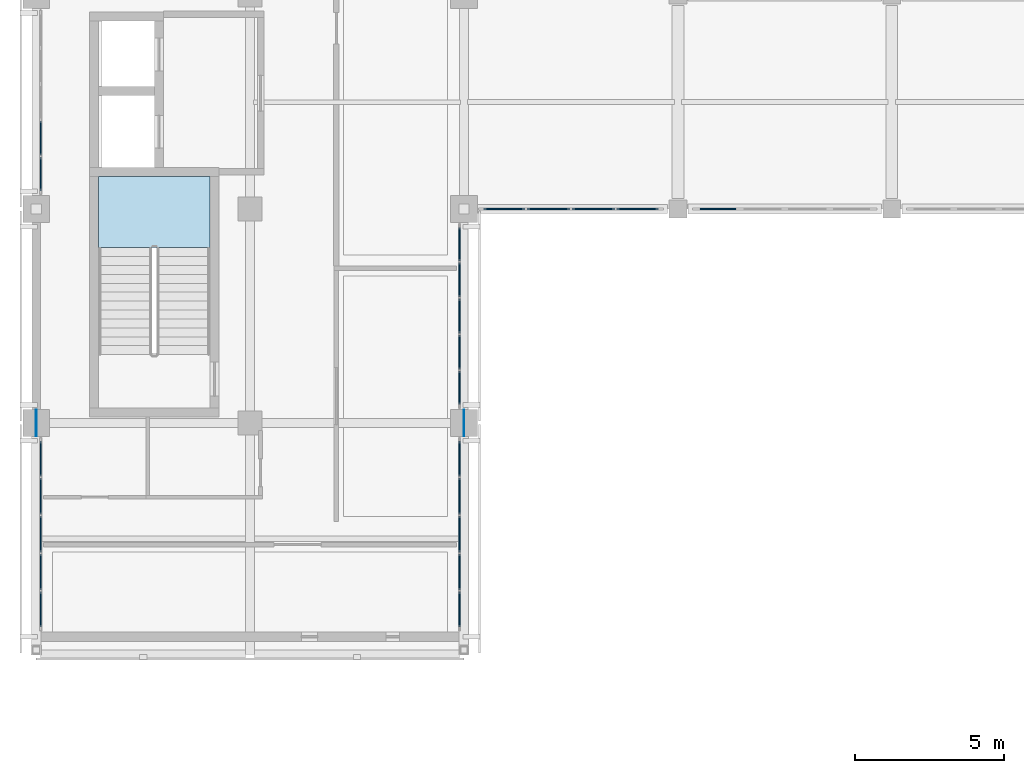
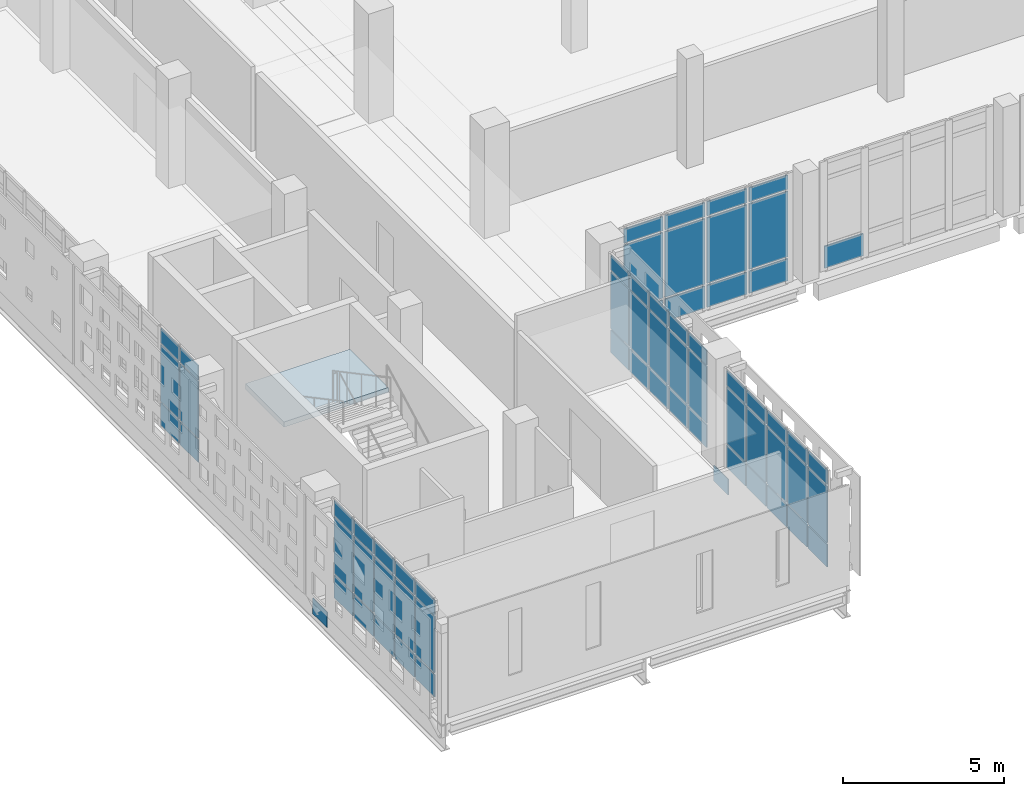
# One storey, part 28 of 62: 66 plates, 1 slab, 7 elements without a shape of their own.
"""IFC4 building model written with IfcOpenShell, lengths in metres."""

from ifc_helpers import new_model, si_unit, direction, frame, origin, origin_2d, place, context, subcontext, project, spatial, polyline, rectangle, outline, extrude, material, layer, layer_set, type_object, element, aggregate, save


model = new_model("IFC4")

# Units and contexts
model_context = context("Model", 3, precision=1e-05, world=origin(), true_north=direction((0.0, 1.0)))
body_context = subcontext(model_context, "Body", "Model", "MODEL_VIEW")
ifc_project = project(units=[si_unit("LENGTHUNIT", "METRE"), si_unit("AREAUNIT", "SQUARE_METRE"), si_unit("VOLUMEUNIT", "CUBIC_METRE"), si_unit("PLANEANGLEUNIT", "RADIAN"), si_unit("MASSUNIT", "GRAM", prefix="KILO")], contexts=[model_context])

# Site, building, storey
site_placement = place(None, origin())
site = spatial("IfcSite", under=ifc_project, at=site_placement, CompositionType="ELEMENT")
building_placement = place(site_placement, origin())
building = spatial("IfcBuilding", under=site, at=building_placement, Name="Valkovuoma Quantum and Materials Research Institute", CompositionType="ELEMENT")
storey_placement = place(building_placement, frame((0.0, 0.0, 13.1201171875)))
storey = spatial("IfcBuildingStorey", under=building, at=storey_placement, Name="L03", CompositionType="ELEMENT", Elevation=13.1201171875)

# Curtain wall, plates
ifc_material_1 = material(Name="Thermally broken aluminium and triple low-E glazing", Category="aluminium")
ifc_layer_1 = layer(ifc_material_1, 0.219970703125)
ifc_layer_set_1 = layer_set([ifc_layer_1], Name="Thermally broken aluminium and triple low-E glazing")
curtain_wall_type_1 = type_object("IfcCurtainWallType", Name="CW-CW-01", PredefinedType="NOTDEFINED", material=ifc_layer_set_1)
curtain_wall_1_placement = place(storey_placement, origin())
curtain_wall_1 = element("IfcCurtainWall", 1, at=curtain_wall_1_placement, inside=storey, type_object=curtain_wall_type_1, Name="L03 curtain wall 028", PredefinedType="NOTDEFINED")
ifc_material_2 = material(Name="Triple low-E argon insulating glass", Category="glass")
ifc_layer_2 = layer(ifc_material_2, 0.035888671875)
ifc_layer_set_2 = layer_set([ifc_layer_2], Name="Triple low-E argon insulating glass")
plate_type_1 = type_object("IfcPlateType", Name="CWPanel-CWP-01", PredefinedType="CURTAIN_PANEL", material=ifc_layer_set_2)
plate_1_placement = place(storey_placement, frame((0.14990234375, 22.521728515625, 0.06494140625), z_axis=(0.0, 0.0, 1.0), x_axis=(0.0, 1.0, 0.0)))
plate_1 = element("IfcPlate", 2, at=plate_1_placement, type_object=plate_type_1, Name="CW-01 panel 1.1", PredefinedType="CURTAIN_PANEL", context=body_context, shape_type="SweptSolid", body=[
    extrude(rectangle(XDim=1.177490234375, YDim=0.035888671875, at=origin_2d()), origin(), (0.0, 0.0, 1.0), 0.8525390625),
])
plate_2_placement = place(storey_placement, frame((0.14990234375, 22.521728515625, 0.982421875), z_axis=(0.0, 0.0, 1.0), x_axis=(0.0, 1.0, 0.0)))
plate_2 = element("IfcPlate", 3, at=plate_2_placement, type_object=plate_type_1, Name="CW-01 panel 1.2", PredefinedType="CURTAIN_PANEL", context=body_context, shape_type="SweptSolid", body=[
    extrude(rectangle(XDim=1.177490234375, YDim=0.035888671875, at=origin_2d()), origin(), (0.0, 0.0, 1.0), 2.14501953125),
])
plate_3_placement = place(storey_placement, frame((0.14990234375, 22.521728515625, 3.1923828125), z_axis=(0.0, 0.0, 1.0), x_axis=(0.0, 1.0, 0.0)))
plate_3 = element("IfcPlate", 4, at=plate_3_placement, type_object=plate_type_1, Name="CW-01 panel 1.3", PredefinedType="CURTAIN_PANEL", context=body_context, shape_type="SweptSolid", body=[
    extrude(rectangle(XDim=1.177490234375, YDim=0.035888671875, at=origin_2d()), origin(), (0.0, 0.0, 1.0), 0.552490234375),
])
plate_4_placement = place(storey_placement, frame((0.14990234375, 23.780517578125, 0.06494140625), z_axis=(0.0, 0.0, 1.0), x_axis=(0.0, 1.0, 0.0)))
plate_4 = element("IfcPlate", 5, at=plate_4_placement, type_object=plate_type_1, Name="CW-01 panel 2.1", PredefinedType="CURTAIN_PANEL", context=body_context, shape_type="SweptSolid", body=[
    extrude(rectangle(XDim=1.2099609375, YDim=0.035888671875, at=origin_2d()), origin(), (0.0, 0.0, 1.0), 0.8525390625),
])
plate_5_placement = place(storey_placement, frame((0.14990234375, 23.780517578125, 0.982421875), z_axis=(0.0, 0.0, 1.0), x_axis=(0.0, 1.0, 0.0)))
plate_5 = element("IfcPlate", 6, at=plate_5_placement, type_object=plate_type_1, Name="CW-01 panel 2.2", PredefinedType="CURTAIN_PANEL", context=body_context, shape_type="SweptSolid", body=[
    extrude(rectangle(XDim=1.2099609375, YDim=0.035888671875, at=origin_2d()), origin(), (0.0, 0.0, 1.0), 2.14501953125),
])
plate_6_placement = place(storey_placement, frame((0.14990234375, 23.780517578125, 3.1923828125), z_axis=(0.0, 0.0, 1.0), x_axis=(0.0, 1.0, 0.0)))
plate_6 = element("IfcPlate", 7, at=plate_6_placement, type_object=plate_type_1, Name="CW-01 panel 2.3", PredefinedType="CURTAIN_PANEL", context=body_context, shape_type="SweptSolid", body=[
    extrude(rectangle(XDim=1.2099609375, YDim=0.035888671875, at=origin_2d()), origin(), (0.0, 0.0, 1.0), 0.552490234375),
])
plate_7_placement = place(storey_placement, frame((0.14990234375, 25.055419921875, 0.06494140625), z_axis=(0.0, 0.0, 1.0), x_axis=(0.0, 1.0, 0.0)))
plate_7 = element("IfcPlate", 8, at=plate_7_placement, type_object=plate_type_1, Name="CW-01 panel 3.1", PredefinedType="CURTAIN_PANEL", context=body_context, shape_type="SweptSolid", body=[
    extrude(rectangle(XDim=1.2099609375, YDim=0.035888671875, at=origin_2d()), origin(), (0.0, 0.0, 1.0), 0.8525390625),
])
plate_8_placement = place(storey_placement, frame((0.14990234375, 25.055419921875, 0.982421875), z_axis=(0.0, 0.0, 1.0), x_axis=(0.0, 1.0, 0.0)))
plate_8 = element("IfcPlate", 9, at=plate_8_placement, type_object=plate_type_1, Name="CW-01 panel 3.2", PredefinedType="CURTAIN_PANEL", context=body_context, shape_type="SweptSolid", body=[
    extrude(rectangle(XDim=1.2099609375, YDim=0.035888671875, at=origin_2d()), origin(), (0.0, 0.0, 1.0), 2.14501953125),
])
plate_9_placement = place(storey_placement, frame((0.14990234375, 25.055419921875, 3.1923828125), z_axis=(0.0, 0.0, 1.0), x_axis=(0.0, 1.0, 0.0)))
plate_9 = element("IfcPlate", 10, at=plate_9_placement, type_object=plate_type_1, Name="CW-01 panel 3.3", PredefinedType="CURTAIN_PANEL", context=body_context, shape_type="SweptSolid", body=[
    extrude(rectangle(XDim=1.2099609375, YDim=0.035888671875, at=origin_2d()), origin(), (0.0, 0.0, 1.0), 0.552490234375),
])
plate_10_placement = place(storey_placement, frame((0.14990234375, 26.330322265625, 0.06494140625), z_axis=(0.0, 0.0, 1.0), x_axis=(0.0, 1.0, 0.0)))
plate_10 = element("IfcPlate", 11, at=plate_10_placement, type_object=plate_type_1, Name="CW-01 panel 4.1", PredefinedType="CURTAIN_PANEL", context=body_context, shape_type="SweptSolid", body=[
    extrude(rectangle(XDim=1.2099609375, YDim=0.035888671875, at=origin_2d()), origin(), (0.0, 0.0, 1.0), 0.8525390625),
])
plate_11_placement = place(storey_placement, frame((0.14990234375, 26.330322265625, 0.982421875), z_axis=(0.0, 0.0, 1.0), x_axis=(0.0, 1.0, 0.0)))
plate_11 = element("IfcPlate", 12, at=plate_11_placement, type_object=plate_type_1, Name="CW-01 panel 4.2", PredefinedType="CURTAIN_PANEL", context=body_context, shape_type="SweptSolid", body=[
    extrude(rectangle(XDim=1.2099609375, YDim=0.035888671875, at=origin_2d()), origin(), (0.0, 0.0, 1.0), 2.14501953125),
])
plate_12_placement = place(storey_placement, frame((0.14990234375, 26.330322265625, 3.1923828125), z_axis=(0.0, 0.0, 1.0), x_axis=(0.0, 1.0, 0.0)))
plate_12 = element("IfcPlate", 13, at=plate_12_placement, type_object=plate_type_1, Name="CW-01 panel 4.3", PredefinedType="CURTAIN_PANEL", context=body_context, shape_type="SweptSolid", body=[
    extrude(rectangle(XDim=1.2099609375, YDim=0.035888671875, at=origin_2d()), origin(), (0.0, 0.0, 1.0), 0.552490234375),
])
plate_13_placement = place(storey_placement, frame((0.14990234375, 27.589111328125, 0.06494140625), z_axis=(0.0, 0.0, 1.0), x_axis=(0.0, 1.0, 0.0)))
plate_13 = element("IfcPlate", 14, at=plate_13_placement, type_object=plate_type_1, Name="CW-01 panel 5.1", PredefinedType="CURTAIN_PANEL", context=body_context, shape_type="SweptSolid", body=[
    extrude(rectangle(XDim=1.177490234375, YDim=0.035888671875, at=origin_2d()), origin(), (0.0, 0.0, 1.0), 0.8525390625),
])
plate_14_placement = place(storey_placement, frame((0.14990234375, 27.589111328125, 0.982421875), z_axis=(0.0, 0.0, 1.0), x_axis=(0.0, 1.0, 0.0)))
plate_14 = element("IfcPlate", 15, at=plate_14_placement, type_object=plate_type_1, Name="CW-01 panel 5.2", PredefinedType="CURTAIN_PANEL", context=body_context, shape_type="SweptSolid", body=[
    extrude(rectangle(XDim=1.177490234375, YDim=0.035888671875, at=origin_2d()), origin(), (0.0, 0.0, 1.0), 2.14501953125),
])
plate_15_placement = place(storey_placement, frame((0.14990234375, 27.589111328125, 3.1923828125), z_axis=(0.0, 0.0, 1.0), x_axis=(0.0, 1.0, 0.0)))
plate_15 = element("IfcPlate", 16, at=plate_15_placement, type_object=plate_type_1, Name="CW-01 panel 5.3", PredefinedType="CURTAIN_PANEL", context=body_context, shape_type="SweptSolid", body=[
    extrude(rectangle(XDim=1.177490234375, YDim=0.035888671875, at=origin_2d()), origin(), (0.0, 0.0, 1.0), 0.552490234375),
])
aggregate(curtain_wall_1, [plate_1, plate_2, plate_3, plate_4, plate_5, plate_6, plate_7, plate_8, plate_9, plate_10, plate_11, plate_12, plate_13, plate_14, plate_15])

curtain_wall_2_placement = place(storey_placement, origin())
curtain_wall_2 = element("IfcCurtainWall", 17, at=curtain_wall_2_placement, inside=storey, type_object=curtain_wall_type_1, Name="L03 curtain wall 031", PredefinedType="NOTDEFINED")
plate_16_placement = place(storey_placement, frame((0.14990234375, 37.181884765625, 0.06494140625), z_axis=(0.0, 0.0, 1.0), x_axis=(0.0, 1.0, 0.0)))
plate_16 = element("IfcPlate", 18, at=plate_16_placement, type_object=plate_type_1, Name="CW-01 panel 1.1", PredefinedType="CURTAIN_PANEL", context=body_context, shape_type="SweptSolid", body=[
    extrude(rectangle(XDim=1.11962890625, YDim=0.035888671875, at=origin_2d()), origin(), (0.0, 0.0, 1.0), 0.8525390625),
])
plate_17_placement = place(storey_placement, frame((0.14990234375, 37.181884765625, 0.982421875), z_axis=(0.0, 0.0, 1.0), x_axis=(0.0, 1.0, 0.0)))
plate_17 = element("IfcPlate", 19, at=plate_17_placement, type_object=plate_type_1, Name="CW-01 panel 1.2", PredefinedType="CURTAIN_PANEL", context=body_context, shape_type="SweptSolid", body=[
    extrude(rectangle(XDim=1.11962890625, YDim=0.035888671875, at=origin_2d()), origin(), (0.0, 0.0, 1.0), 2.14501953125),
])
plate_18_placement = place(storey_placement, frame((0.14990234375, 37.181884765625, 3.1923828125), z_axis=(0.0, 0.0, 1.0), x_axis=(0.0, 1.0, 0.0)))
plate_18 = element("IfcPlate", 20, at=plate_18_placement, type_object=plate_type_1, Name="CW-01 panel 1.3", PredefinedType="CURTAIN_PANEL", context=body_context, shape_type="SweptSolid", body=[
    extrude(rectangle(XDim=1.11962890625, YDim=0.035888671875, at=origin_2d()), origin(), (0.0, 0.0, 1.0), 0.552490234375),
])
plate_19_placement = place(storey_placement, frame((0.14990234375, 38.3828125, 0.06494140625), z_axis=(0.0, 0.0, 1.0), x_axis=(0.0, 1.0, 0.0)))
plate_19 = element("IfcPlate", 21, at=plate_19_placement, type_object=plate_type_1, Name="CW-01 panel 2.1", PredefinedType="CURTAIN_PANEL", context=body_context, shape_type="SweptSolid", body=[
    extrude(rectangle(XDim=1.152099609375, YDim=0.035888671875, at=origin_2d()), origin(), (0.0, 0.0, 1.0), 0.8525390625),
])
plate_20_placement = place(storey_placement, frame((0.14990234375, 38.3828125, 0.982421875), z_axis=(0.0, 0.0, 1.0), x_axis=(0.0, 1.0, 0.0)))
plate_20 = element("IfcPlate", 22, at=plate_20_placement, type_object=plate_type_1, Name="CW-01 panel 2.2", PredefinedType="CURTAIN_PANEL", context=body_context, shape_type="SweptSolid", body=[
    extrude(rectangle(XDim=1.152099609375, YDim=0.035888671875, at=origin_2d()), origin(), (0.0, 0.0, 1.0), 2.14501953125),
])
plate_21_placement = place(storey_placement, frame((0.14990234375, 38.3828125, 3.1923828125), z_axis=(0.0, 0.0, 1.0), x_axis=(0.0, 1.0, 0.0)))
plate_21 = element("IfcPlate", 23, at=plate_21_placement, type_object=plate_type_1, Name="CW-01 panel 2.3", PredefinedType="CURTAIN_PANEL", context=body_context, shape_type="SweptSolid", body=[
    extrude(rectangle(XDim=1.152099609375, YDim=0.035888671875, at=origin_2d()), origin(), (0.0, 0.0, 1.0), 0.552490234375),
])
aggregate(curtain_wall_2, [plate_16, plate_17, plate_18, plate_19, plate_20, plate_21])

curtain_wall_3_placement = place(storey_placement, origin())
curtain_wall_3 = element("IfcCurtainWall", 24, at=curtain_wall_3_placement, inside=storey, type_object=curtain_wall_type_1, Name="L03 curtain wall 029", PredefinedType="NOTDEFINED")
ifc_material_3 = material(Name="Triple low-E argon insulating glass", Category="glass")
ifc_layer_3 = layer(ifc_material_3, 0.0419921875)
ifc_layer_set_3 = layer_set([ifc_layer_3], Name="Triple low-E argon insulating glass")
plate_type_2 = type_object("IfcPlateType", Name="CWPanel-CWP-02", PredefinedType="CURTAIN_PANEL", material=ifc_layer_set_3)
plate_22_placement = place(storey_placement, frame((14.25, 22.521728515625, 0.06494140625), z_axis=(0.0, 0.0, 1.0), x_axis=(0.0, 1.0, 0.0)))
plate_22 = element("IfcPlate", 25, at=plate_22_placement, type_object=plate_type_2, Name="CW-01 panel 1.1", PredefinedType="CURTAIN_PANEL", context=body_context, shape_type="SweptSolid", body=[
    extrude(rectangle(XDim=1.177490234375, YDim=0.0419921875, at=origin_2d()), origin(), (0.0, 0.0, 1.0), 0.8525390625),
])
plate_23_placement = place(storey_placement, frame((14.25, 22.521728515625, 0.982421875), z_axis=(0.0, 0.0, 1.0), x_axis=(0.0, 1.0, 0.0)))
plate_23 = element("IfcPlate", 26, at=plate_23_placement, type_object=plate_type_2, Name="CW-01 panel 1.2", PredefinedType="CURTAIN_PANEL", context=body_context, shape_type="SweptSolid", body=[
    extrude(rectangle(XDim=1.177490234375, YDim=0.0419921875, at=origin_2d()), origin(), (0.0, 0.0, 1.0), 2.14501953125),
])
plate_24_placement = place(storey_placement, frame((14.25, 22.521728515625, 3.1923828125), z_axis=(0.0, 0.0, 1.0), x_axis=(0.0, 1.0, 0.0)))
plate_24 = element("IfcPlate", 27, at=plate_24_placement, type_object=plate_type_2, Name="CW-01 panel 1.3", PredefinedType="CURTAIN_PANEL", context=body_context, shape_type="SweptSolid", body=[
    extrude(rectangle(XDim=1.177490234375, YDim=0.0419921875, at=origin_2d()), origin(), (0.0, 0.0, 1.0), 0.552490234375),
])
plate_25_placement = place(storey_placement, frame((14.25, 23.780517578125, 0.06494140625), z_axis=(0.0, 0.0, 1.0), x_axis=(0.0, 1.0, 0.0)))
plate_25 = element("IfcPlate", 28, at=plate_25_placement, type_object=plate_type_2, Name="CW-01 panel 2.1", PredefinedType="CURTAIN_PANEL", context=body_context, shape_type="SweptSolid", body=[
    extrude(rectangle(XDim=1.2099609375, YDim=0.0419921875, at=origin_2d()), origin(), (0.0, 0.0, 1.0), 0.8525390625),
])
plate_26_placement = place(storey_placement, frame((14.25, 23.780517578125, 0.982421875), z_axis=(0.0, 0.0, 1.0), x_axis=(0.0, 1.0, 0.0)))
plate_26 = element("IfcPlate", 29, at=plate_26_placement, type_object=plate_type_2, Name="CW-01 panel 2.2", PredefinedType="CURTAIN_PANEL", context=body_context, shape_type="SweptSolid", body=[
    extrude(rectangle(XDim=1.2099609375, YDim=0.0419921875, at=origin_2d()), origin(), (0.0, 0.0, 1.0), 2.14501953125),
])
plate_27_placement = place(storey_placement, frame((14.25, 23.780517578125, 3.1923828125), z_axis=(0.0, 0.0, 1.0), x_axis=(0.0, 1.0, 0.0)))
plate_27 = element("IfcPlate", 30, at=plate_27_placement, type_object=plate_type_2, Name="CW-01 panel 2.3", PredefinedType="CURTAIN_PANEL", context=body_context, shape_type="SweptSolid", body=[
    extrude(rectangle(XDim=1.2099609375, YDim=0.0419921875, at=origin_2d()), origin(), (0.0, 0.0, 1.0), 0.552490234375),
])
plate_28_placement = place(storey_placement, frame((14.25, 25.055419921875, 0.06494140625), z_axis=(0.0, 0.0, 1.0), x_axis=(0.0, 1.0, 0.0)))
plate_28 = element("IfcPlate", 31, at=plate_28_placement, type_object=plate_type_2, Name="CW-01 panel 3.1", PredefinedType="CURTAIN_PANEL", context=body_context, shape_type="SweptSolid", body=[
    extrude(rectangle(XDim=1.2099609375, YDim=0.0419921875, at=origin_2d()), origin(), (0.0, 0.0, 1.0), 0.8525390625),
])
plate_29_placement = place(storey_placement, frame((14.25, 25.055419921875, 0.982421875), z_axis=(0.0, 0.0, 1.0), x_axis=(0.0, 1.0, 0.0)))
plate_29 = element("IfcPlate", 32, at=plate_29_placement, type_object=plate_type_2, Name="CW-01 panel 3.2", PredefinedType="CURTAIN_PANEL", context=body_context, shape_type="SweptSolid", body=[
    extrude(rectangle(XDim=1.2099609375, YDim=0.0419921875, at=origin_2d()), origin(), (0.0, 0.0, 1.0), 2.14501953125),
])
plate_30_placement = place(storey_placement, frame((14.25, 25.055419921875, 3.1923828125), z_axis=(0.0, 0.0, 1.0), x_axis=(0.0, 1.0, 0.0)))
plate_30 = element("IfcPlate", 33, at=plate_30_placement, type_object=plate_type_2, Name="CW-01 panel 3.3", PredefinedType="CURTAIN_PANEL", context=body_context, shape_type="SweptSolid", body=[
    extrude(rectangle(XDim=1.2099609375, YDim=0.0419921875, at=origin_2d()), origin(), (0.0, 0.0, 1.0), 0.552490234375),
])
plate_31_placement = place(storey_placement, frame((14.25, 26.330322265625, 0.06494140625), z_axis=(0.0, 0.0, 1.0), x_axis=(0.0, 1.0, 0.0)))
plate_31 = element("IfcPlate", 34, at=plate_31_placement, type_object=plate_type_2, Name="CW-01 panel 4.1", PredefinedType="CURTAIN_PANEL", context=body_context, shape_type="SweptSolid", body=[
    extrude(rectangle(XDim=1.2099609375, YDim=0.0419921875, at=origin_2d()), origin(), (0.0, 0.0, 1.0), 0.8525390625),
])
plate_32_placement = place(storey_placement, frame((14.25, 26.330322265625, 0.982421875), z_axis=(0.0, 0.0, 1.0), x_axis=(0.0, 1.0, 0.0)))
plate_32 = element("IfcPlate", 35, at=plate_32_placement, type_object=plate_type_2, Name="CW-01 panel 4.2", PredefinedType="CURTAIN_PANEL", context=body_context, shape_type="SweptSolid", body=[
    extrude(rectangle(XDim=1.2099609375, YDim=0.0419921875, at=origin_2d()), origin(), (0.0, 0.0, 1.0), 2.14501953125),
])
plate_33_placement = place(storey_placement, frame((14.25, 26.330322265625, 3.1923828125), z_axis=(0.0, 0.0, 1.0), x_axis=(0.0, 1.0, 0.0)))
plate_33 = element("IfcPlate", 36, at=plate_33_placement, type_object=plate_type_2, Name="CW-01 panel 4.3", PredefinedType="CURTAIN_PANEL", context=body_context, shape_type="SweptSolid", body=[
    extrude(rectangle(XDim=1.2099609375, YDim=0.0419921875, at=origin_2d()), origin(), (0.0, 0.0, 1.0), 0.552490234375),
])
plate_34_placement = place(storey_placement, frame((14.25, 27.589111328125, 0.06494140625), z_axis=(0.0, 0.0, 1.0), x_axis=(0.0, 1.0, 0.0)))
plate_34 = element("IfcPlate", 37, at=plate_34_placement, type_object=plate_type_2, Name="CW-01 panel 5.1", PredefinedType="CURTAIN_PANEL", context=body_context, shape_type="SweptSolid", body=[
    extrude(rectangle(XDim=1.177490234375, YDim=0.0419921875, at=origin_2d()), origin(), (0.0, 0.0, 1.0), 0.8525390625),
])
plate_35_placement = place(storey_placement, frame((14.25, 27.589111328125, 0.982421875), z_axis=(0.0, 0.0, 1.0), x_axis=(0.0, 1.0, 0.0)))
plate_35 = element("IfcPlate", 38, at=plate_35_placement, type_object=plate_type_2, Name="CW-01 panel 5.2", PredefinedType="CURTAIN_PANEL", context=body_context, shape_type="SweptSolid", body=[
    extrude(rectangle(XDim=1.177490234375, YDim=0.0419921875, at=origin_2d()), origin(), (0.0, 0.0, 1.0), 2.14501953125),
])
plate_36_placement = place(storey_placement, frame((14.25, 27.589111328125, 3.1923828125), z_axis=(0.0, 0.0, 1.0), x_axis=(0.0, 1.0, 0.0)))
plate_36 = element("IfcPlate", 39, at=plate_36_placement, type_object=plate_type_2, Name="CW-01 panel 5.3", PredefinedType="CURTAIN_PANEL", context=body_context, shape_type="SweptSolid", body=[
    extrude(rectangle(XDim=1.177490234375, YDim=0.0419921875, at=origin_2d()), origin(), (0.0, 0.0, 1.0), 0.552490234375),
])
aggregate(curtain_wall_3, [plate_22, plate_23, plate_24, plate_25, plate_26, plate_27, plate_28, plate_29, plate_30, plate_31, plate_32, plate_33, plate_34, plate_35, plate_36])

curtain_wall_4_placement = place(storey_placement, origin())
curtain_wall_4 = element("IfcCurtainWall", 40, at=curtain_wall_4_placement, inside=storey, type_object=curtain_wall_type_1, Name="L03 curtain wall 030", PredefinedType="NOTDEFINED")
plate_37_placement = place(storey_placement, frame((14.25, 29.98193359375, 0.06494140625), z_axis=(0.0, 0.0, 1.0), x_axis=(0.0, 1.0, 0.0)))
plate_37 = element("IfcPlate", 41, at=plate_37_placement, type_object=plate_type_2, Name="CW-01 panel 1.1", PredefinedType="CURTAIN_PANEL", context=body_context, shape_type="SweptSolid", body=[
    extrude(rectangle(XDim=1.11962890625, YDim=0.0419921875, at=origin_2d()), origin(), (0.0, 0.0, 1.0), 0.8525390625),
])
plate_38_placement = place(storey_placement, frame((14.25, 29.98193359375, 0.982421875), z_axis=(0.0, 0.0, 1.0), x_axis=(0.0, 1.0, 0.0)))
plate_38 = element("IfcPlate", 42, at=plate_38_placement, type_object=plate_type_2, Name="CW-01 panel 1.2", PredefinedType="CURTAIN_PANEL", context=body_context, shape_type="SweptSolid", body=[
    extrude(rectangle(XDim=1.11962890625, YDim=0.0419921875, at=origin_2d()), origin(), (0.0, 0.0, 1.0), 2.14501953125),
])
plate_39_placement = place(storey_placement, frame((14.25, 29.98193359375, 3.1923828125), z_axis=(0.0, 0.0, 1.0), x_axis=(0.0, 1.0, 0.0)))
plate_39 = element("IfcPlate", 43, at=plate_39_placement, type_object=plate_type_2, Name="CW-01 panel 1.3", PredefinedType="CURTAIN_PANEL", context=body_context, shape_type="SweptSolid", body=[
    extrude(rectangle(XDim=1.11962890625, YDim=0.0419921875, at=origin_2d()), origin(), (0.0, 0.0, 1.0), 0.552490234375),
])
plate_40_placement = place(storey_placement, frame((14.25, 31.182861328125, 0.06494140625), z_axis=(0.0, 0.0, 1.0), x_axis=(0.0, 1.0, 0.0)))
plate_40 = element("IfcPlate", 44, at=plate_40_placement, type_object=plate_type_2, Name="CW-01 panel 2.1", PredefinedType="CURTAIN_PANEL", context=body_context, shape_type="SweptSolid", body=[
    extrude(rectangle(XDim=1.152099609375, YDim=0.0419921875, at=origin_2d()), origin(), (0.0, 0.0, 1.0), 0.8525390625),
])
plate_41_placement = place(storey_placement, frame((14.25, 31.182861328125, 0.982421875), z_axis=(0.0, 0.0, 1.0), x_axis=(0.0, 1.0, 0.0)))
plate_41 = element("IfcPlate", 45, at=plate_41_placement, type_object=plate_type_2, Name="CW-01 panel 2.2", PredefinedType="CURTAIN_PANEL", context=body_context, shape_type="SweptSolid", body=[
    extrude(rectangle(XDim=1.152099609375, YDim=0.0419921875, at=origin_2d()), origin(), (0.0, 0.0, 1.0), 2.14501953125),
])
plate_42_placement = place(storey_placement, frame((14.25, 31.182861328125, 3.1923828125), z_axis=(0.0, 0.0, 1.0), x_axis=(0.0, 1.0, 0.0)))
plate_42 = element("IfcPlate", 46, at=plate_42_placement, type_object=plate_type_2, Name="CW-01 panel 2.3", PredefinedType="CURTAIN_PANEL", context=body_context, shape_type="SweptSolid", body=[
    extrude(rectangle(XDim=1.152099609375, YDim=0.0419921875, at=origin_2d()), origin(), (0.0, 0.0, 1.0), 0.552490234375),
])
plate_43_placement = place(storey_placement, frame((14.25, 32.39990234375, 0.06494140625), z_axis=(0.0, 0.0, 1.0), x_axis=(0.0, 1.0, 0.0)))
plate_43 = element("IfcPlate", 47, at=plate_43_placement, type_object=plate_type_2, Name="CW-01 panel 3.1", PredefinedType="CURTAIN_PANEL", context=body_context, shape_type="SweptSolid", body=[
    extrude(rectangle(XDim=1.152099609375, YDim=0.0419921875, at=origin_2d()), origin(), (0.0, 0.0, 1.0), 0.8525390625),
])
plate_44_placement = place(storey_placement, frame((14.25, 32.39990234375, 0.982421875), z_axis=(0.0, 0.0, 1.0), x_axis=(0.0, 1.0, 0.0)))
plate_44 = element("IfcPlate", 48, at=plate_44_placement, type_object=plate_type_2, Name="CW-01 panel 3.2", PredefinedType="CURTAIN_PANEL", context=body_context, shape_type="SweptSolid", body=[
    extrude(rectangle(XDim=1.152099609375, YDim=0.0419921875, at=origin_2d()), origin(), (0.0, 0.0, 1.0), 2.14501953125),
])
plate_45_placement = place(storey_placement, frame((14.25, 32.39990234375, 3.1923828125), z_axis=(0.0, 0.0, 1.0), x_axis=(0.0, 1.0, 0.0)))
plate_45 = element("IfcPlate", 49, at=plate_45_placement, type_object=plate_type_2, Name="CW-01 panel 3.3", PredefinedType="CURTAIN_PANEL", context=body_context, shape_type="SweptSolid", body=[
    extrude(rectangle(XDim=1.152099609375, YDim=0.0419921875, at=origin_2d()), origin(), (0.0, 0.0, 1.0), 0.552490234375),
])
plate_46_placement = place(storey_placement, frame((14.25, 33.6171875, 0.06494140625), z_axis=(0.0, 0.0, 1.0), x_axis=(0.0, 1.0, 0.0)))
plate_46 = element("IfcPlate", 50, at=plate_46_placement, type_object=plate_type_2, Name="CW-01 panel 4.1", PredefinedType="CURTAIN_PANEL", context=body_context, shape_type="SweptSolid", body=[
    extrude(rectangle(XDim=1.152099609375, YDim=0.0419921875, at=origin_2d()), origin(), (0.0, 0.0, 1.0), 0.8525390625),
])
plate_47_placement = place(storey_placement, frame((14.25, 33.6171875, 0.982421875), z_axis=(0.0, 0.0, 1.0), x_axis=(0.0, 1.0, 0.0)))
plate_47 = element("IfcPlate", 51, at=plate_47_placement, type_object=plate_type_2, Name="CW-01 panel 4.2", PredefinedType="CURTAIN_PANEL", context=body_context, shape_type="SweptSolid", body=[
    extrude(rectangle(XDim=1.152099609375, YDim=0.0419921875, at=origin_2d()), origin(), (0.0, 0.0, 1.0), 2.14501953125),
])
plate_48_placement = place(storey_placement, frame((14.25, 33.6171875, 3.1923828125), z_axis=(0.0, 0.0, 1.0), x_axis=(0.0, 1.0, 0.0)))
plate_48 = element("IfcPlate", 52, at=plate_48_placement, type_object=plate_type_2, Name="CW-01 panel 4.3", PredefinedType="CURTAIN_PANEL", context=body_context, shape_type="SweptSolid", body=[
    extrude(rectangle(XDim=1.152099609375, YDim=0.0419921875, at=origin_2d()), origin(), (0.0, 0.0, 1.0), 0.552490234375),
])
plate_49_placement = place(storey_placement, frame((14.25, 34.818115234375, 0.06494140625), z_axis=(0.0, 0.0, 1.0), x_axis=(0.0, 1.0, 0.0)))
plate_49 = element("IfcPlate", 53, at=plate_49_placement, type_object=plate_type_2, Name="CW-01 panel 5.1", PredefinedType="CURTAIN_PANEL", context=body_context, shape_type="SweptSolid", body=[
    extrude(rectangle(XDim=1.11962890625, YDim=0.0419921875, at=origin_2d()), origin(), (0.0, 0.0, 1.0), 0.8525390625),
])
plate_50_placement = place(storey_placement, frame((14.25, 34.818115234375, 0.982421875), z_axis=(0.0, 0.0, 1.0), x_axis=(0.0, 1.0, 0.0)))
plate_50 = element("IfcPlate", 54, at=plate_50_placement, type_object=plate_type_2, Name="CW-01 panel 5.2", PredefinedType="CURTAIN_PANEL", context=body_context, shape_type="SweptSolid", body=[
    extrude(rectangle(XDim=1.11962890625, YDim=0.0419921875, at=origin_2d()), origin(), (0.0, 0.0, 1.0), 2.14501953125),
])
plate_51_placement = place(storey_placement, frame((14.25, 34.818115234375, 3.1923828125), z_axis=(0.0, 0.0, 1.0), x_axis=(0.0, 1.0, 0.0)))
plate_51 = element("IfcPlate", 55, at=plate_51_placement, type_object=plate_type_2, Name="CW-01 panel 5.3", PredefinedType="CURTAIN_PANEL", context=body_context, shape_type="SweptSolid", body=[
    extrude(rectangle(XDim=1.11962890625, YDim=0.0419921875, at=origin_2d()), origin(), (0.0, 0.0, 1.0), 0.552490234375),
])
aggregate(curtain_wall_4, [plate_37, plate_38, plate_39, plate_40, plate_41, plate_42, plate_43, plate_44, plate_45, plate_46, plate_47, plate_48, plate_49, plate_50, plate_51])

ifc_material_4 = material(Name="Thermally broken aluminium and triple low-E glazing", Category="aluminium")
ifc_layer_4 = layer(ifc_material_4, 0.219970703125)
ifc_layer_set_4 = layer_set([ifc_layer_4], Name="Thermally broken aluminium and triple low-E glazing")
curtain_wall_type_2 = type_object("IfcCurtainWallType", Name="CW-CW-02", PredefinedType="NOTDEFINED", material=ifc_layer_set_4)
curtain_wall_5_placement = place(storey_placement, origin())
curtain_wall_5 = element("IfcCurtainWall", 56, at=curtain_wall_5_placement, inside=storey, type_object=curtain_wall_type_2, Name="L03 curtain wall 199", PredefinedType="NOTDEFINED")
ifc_material_5 = material(Name="Triple low-E argon insulating glass", Category="glass")
ifc_layer_5 = layer(ifc_material_5, 0.048095703125)
ifc_layer_set_5 = layer_set([ifc_layer_5], Name="Triple low-E argon insulating glass")
plate_type_3 = type_object("IfcPlateType", Name="CWPanel-CWP-03", PredefinedType="CURTAIN_PANEL", material=ifc_layer_set_5)
plate_52_placement = place(storey_placement, frame((15.7548828125, 36.0, 0.074951171875), z_axis=(0.0, 0.0, 1.0), x_axis=(1.0, 0.0, 0.0)))
plate_52 = element("IfcPlate", 57, at=plate_52_placement, type_object=plate_type_3, Name="CW-02 panel 1.1", PredefinedType="CURTAIN_PANEL", context=body_context, shape_type="SweptSolid", body=[
    extrude(rectangle(XDim=1.389892578125, YDim=0.048095703125, at=origin_2d()), origin(), (0.0, 0.0, 1.0), 0.83740234375),
])
plate_53_placement = place(storey_placement, frame((15.7548828125, 36.0, 0.9873046875), z_axis=(0.0, 0.0, 1.0), x_axis=(1.0, 0.0, 0.0)))
plate_53 = element("IfcPlate", 58, at=plate_53_placement, type_object=plate_type_3, Name="CW-02 panel 1.2", PredefinedType="CURTAIN_PANEL", context=body_context, shape_type="SweptSolid", body=[
    extrude(rectangle(XDim=1.389892578125, YDim=0.048095703125, at=origin_2d()), origin(), (0.0, 0.0, 1.0), 2.485107421875),
])
plate_54_placement = place(storey_placement, frame((15.7548828125, 36.0, 3.54736328125), z_axis=(0.0, 0.0, 1.0), x_axis=(1.0, 0.0, 0.0)))
plate_54 = element("IfcPlate", 59, at=plate_54_placement, type_object=plate_type_3, Name="CW-02 panel 1.3", PredefinedType="CURTAIN_PANEL", context=body_context, shape_type="SweptSolid", body=[
    extrude(rectangle(XDim=1.389892578125, YDim=0.048095703125, at=origin_2d()), origin(), (0.0, 0.0, 1.0), 0.53759765625),
])
plate_55_placement = place(storey_placement, frame((17.2451171875, 36.0, 0.074951171875), z_axis=(0.0, 0.0, 1.0), x_axis=(1.0, 0.0, 0.0)))
plate_55 = element("IfcPlate", 60, at=plate_55_placement, type_object=plate_type_3, Name="CW-02 panel 2.1", PredefinedType="CURTAIN_PANEL", context=body_context, shape_type="SweptSolid", body=[
    extrude(rectangle(XDim=1.429931640625, YDim=0.048095703125, at=origin_2d()), origin(), (0.0, 0.0, 1.0), 0.83740234375),
])
plate_56_placement = place(storey_placement, frame((17.2451171875, 36.0, 0.9873046875), z_axis=(0.0, 0.0, 1.0), x_axis=(1.0, 0.0, 0.0)))
plate_56 = element("IfcPlate", 61, at=plate_56_placement, type_object=plate_type_3, Name="CW-02 panel 2.2", PredefinedType="CURTAIN_PANEL", context=body_context, shape_type="SweptSolid", body=[
    extrude(rectangle(XDim=1.429931640625, YDim=0.048095703125, at=origin_2d()), origin(), (0.0, 0.0, 1.0), 2.485107421875),
])
plate_57_placement = place(storey_placement, frame((17.2451171875, 36.0, 3.54736328125), z_axis=(0.0, 0.0, 1.0), x_axis=(1.0, 0.0, 0.0)))
plate_57 = element("IfcPlate", 62, at=plate_57_placement, type_object=plate_type_3, Name="CW-02 panel 2.3", PredefinedType="CURTAIN_PANEL", context=body_context, shape_type="SweptSolid", body=[
    extrude(rectangle(XDim=1.429931640625, YDim=0.048095703125, at=origin_2d()), origin(), (0.0, 0.0, 1.0), 0.53759765625),
])
plate_58_placement = place(storey_placement, frame((18.7548828125, 36.0, 0.074951171875), z_axis=(0.0, 0.0, 1.0), x_axis=(1.0, 0.0, 0.0)))
plate_58 = element("IfcPlate", 63, at=plate_58_placement, type_object=plate_type_3, Name="CW-02 panel 3.1", PredefinedType="CURTAIN_PANEL", context=body_context, shape_type="SweptSolid", body=[
    extrude(rectangle(XDim=1.429931640625, YDim=0.048095703125, at=origin_2d()), origin(), (0.0, 0.0, 1.0), 0.83740234375),
])
plate_59_placement = place(storey_placement, frame((18.7548828125, 36.0, 0.9873046875), z_axis=(0.0, 0.0, 1.0), x_axis=(1.0, 0.0, 0.0)))
plate_59 = element("IfcPlate", 64, at=plate_59_placement, type_object=plate_type_3, Name="CW-02 panel 3.2", PredefinedType="CURTAIN_PANEL", context=body_context, shape_type="SweptSolid", body=[
    extrude(rectangle(XDim=1.429931640625, YDim=0.048095703125, at=origin_2d()), origin(), (0.0, 0.0, 1.0), 2.485107421875),
])
plate_60_placement = place(storey_placement, frame((18.7548828125, 36.0, 3.54736328125), z_axis=(0.0, 0.0, 1.0), x_axis=(1.0, 0.0, 0.0)))
plate_60 = element("IfcPlate", 65, at=plate_60_placement, type_object=plate_type_3, Name="CW-02 panel 3.3", PredefinedType="CURTAIN_PANEL", context=body_context, shape_type="SweptSolid", body=[
    extrude(rectangle(XDim=1.429931640625, YDim=0.048095703125, at=origin_2d()), origin(), (0.0, 0.0, 1.0), 0.53759765625),
])
plate_61_placement = place(storey_placement, frame((20.2451171875, 36.0, 0.074951171875), z_axis=(0.0, 0.0, 1.0), x_axis=(1.0, 0.0, 0.0)))
plate_61 = element("IfcPlate", 66, at=plate_61_placement, type_object=plate_type_3, Name="CW-02 panel 4.1", PredefinedType="CURTAIN_PANEL", context=body_context, shape_type="SweptSolid", body=[
    extrude(rectangle(XDim=1.389892578125, YDim=0.048095703125, at=origin_2d()), origin(), (0.0, 0.0, 1.0), 0.83740234375),
])
plate_62_placement = place(storey_placement, frame((20.2451171875, 36.0, 0.9873046875), z_axis=(0.0, 0.0, 1.0), x_axis=(1.0, 0.0, 0.0)))
plate_62 = element("IfcPlate", 67, at=plate_62_placement, type_object=plate_type_3, Name="CW-02 panel 4.2", PredefinedType="CURTAIN_PANEL", context=body_context, shape_type="SweptSolid", body=[
    extrude(rectangle(XDim=1.389892578125, YDim=0.048095703125, at=origin_2d()), origin(), (0.0, 0.0, 1.0), 2.485107421875),
])
plate_63_placement = place(storey_placement, frame((20.2451171875, 36.0, 3.54736328125), z_axis=(0.0, 0.0, 1.0), x_axis=(1.0, 0.0, 0.0)))
plate_63 = element("IfcPlate", 68, at=plate_63_placement, type_object=plate_type_3, Name="CW-02 panel 4.3", PredefinedType="CURTAIN_PANEL", context=body_context, shape_type="SweptSolid", body=[
    extrude(rectangle(XDim=1.389892578125, YDim=0.048095703125, at=origin_2d()), origin(), (0.0, 0.0, 1.0), 0.53759765625),
])
aggregate(curtain_wall_5, [plate_52, plate_53, plate_54, plate_55, plate_56, plate_57, plate_58, plate_59, plate_60, plate_61, plate_62, plate_63])

# Curtain wall, plate
curtain_wall_6_placement = place(storey_placement, origin())
curtain_wall_6 = element("IfcCurtainWall", 69, at=curtain_wall_6_placement, inside=storey, type_object=curtain_wall_type_2, Name="L03 curtain wall 200", PredefinedType="NOTDEFINED")
plate_64_placement = place(storey_placement, frame((22.955078125, 36.0, 0.074951171875), z_axis=(0.0, 0.0, 1.0), x_axis=(1.0, 0.0, 0.0)))
plate_64 = element("IfcPlate", 70, at=plate_64_placement, type_object=plate_type_3, Name="CW-02 panel 1.1", PredefinedType="CURTAIN_PANEL", context=body_context, shape_type="SweptSolid", body=[
    extrude(rectangle(XDim=1.389892578125, YDim=0.048095703125, at=origin_2d()), origin(), (0.0, 0.0, 1.0), 0.83740234375),
])
aggregate(curtain_wall_6, [plate_64])

# Plates
ifc_material_6 = material(Name="Steel S355J2", Category="steel")
plate_type_4 = type_object("IfcPlateType", Name="Plate-PL-GUS3", PredefinedType="USERDEFINED", material=ifc_material_6)
for number, where, z_axis, x_axis, name in (
    (71, (0.0, 28.800048828125, -1.150146484375), (0.0, 0.0, 1.0), (0.0, 1.0, 0.0), "L03 cantilever gusset plate 0"),
    (72, (14.39990234375, 28.800048828125, -1.150146484375), (0.0, 0.0, 1.0), (0.0, 1.0, 0.0), "L03 cantilever gusset plate 1"),
):
    element("IfcPlate", number, at=place(storey_placement, frame(where, z_axis=z_axis, x_axis=x_axis)), inside=storey, type_object=plate_type_4, Name=name, ObjectType="GUSSET_PLATE", PredefinedType="USERDEFINED", context=body_context, shape_type="SweptSolid", body=[
        extrude(rectangle(XDim=0.89990234375, YDim=0.02490234375, at=origin_2d()), origin(), (0.0, 0.0, 1.0), 0.60009765625),
    ])

# Stair, slab
ifc_material_7 = material(Name="Concrete C40/50", Category="concrete")
stair_type = type_object("IfcStairType", Name="Stair-ST-COR", PredefinedType="HALF_TURN_STAIR", material=ifc_material_7)
stair_placement = place(storey_placement, origin())
stair = element("IfcStair", 73, at=stair_placement, inside=storey, type_object=stair_type, Name="L03 Exit Stair ST-1", PredefinedType="HALF_TURN_STAIR")
ifc_material_8 = material(Name="Concrete C40/50", Category="concrete")
ifc_layer_6 = layer(ifc_material_8, 0.199951171875)
ifc_layer_set_6 = layer_set([ifc_layer_6], Name="Concrete C40/50")
slab_type = type_object("IfcSlabType", Name="Slab-SL-LND200", PredefinedType="LANDING", material=ifc_layer_set_6)
slab_placement = place(storey_placement, frame((0.0, 0.0, 1.8798828125)))
slab = element("IfcSlab", 74, at=slab_placement, type_object=slab_type, Name="ST-1 landing 1", PredefinedType="LANDING", context=body_context, shape_type="SweptSolid", body=[
    extrude(outline(polyline([(5.85009765625, 34.699951171875), (5.85009765625, 37.10009765625), (2.10009765625, 37.10009765625), (2.10009765625, 34.699951171875), (5.85009765625, 34.699951171875)])), origin(), (0.0, 0.0, 1.0), 0.199951171875),
])
aggregate(stair, [slab])

save(model, "model.ifc")
